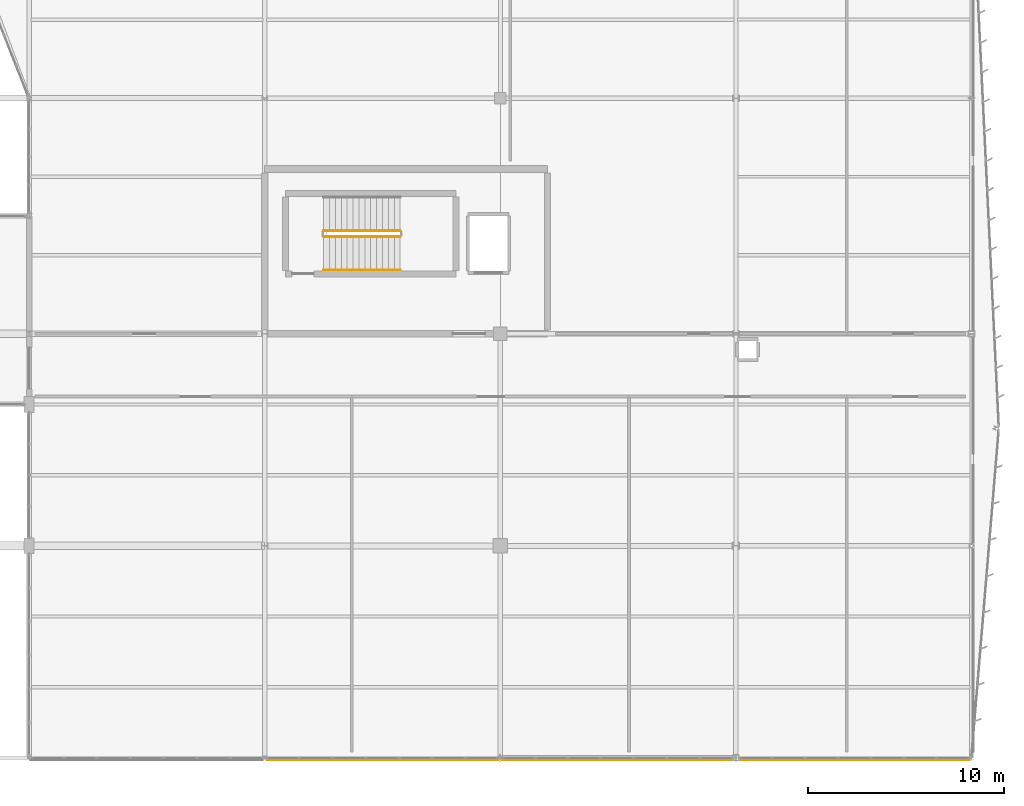
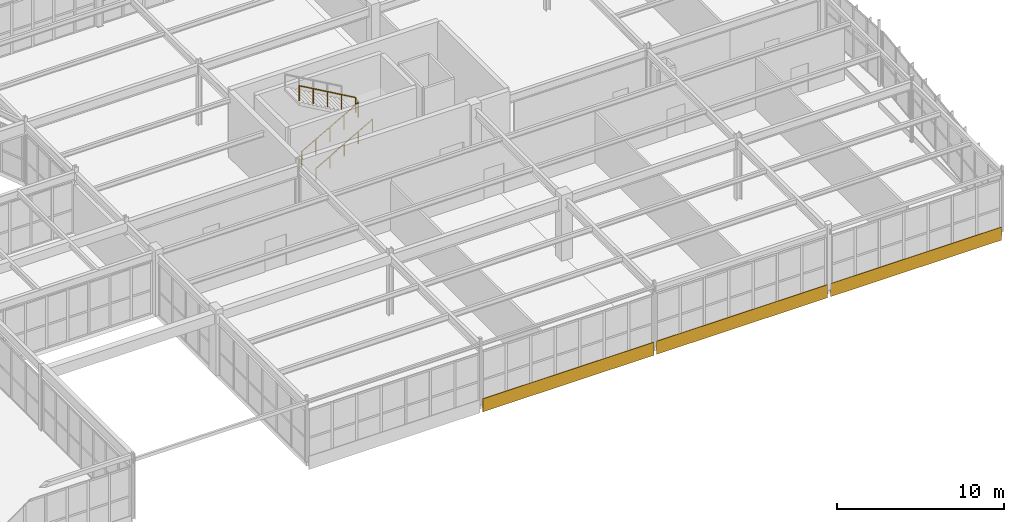
# One storey, part 178 of 186: 3 coverings, 3 railings.
"""IFC4 building model written with IfcOpenShell, lengths in metres."""

from ifc_helpers import new_model, si_unit, direction, frame, origin, origin_2d, place, context, subcontext, project, spatial, rectangle, circle, extrude, material, layer, layer_set, type_object, element, save


model = new_model("IFC4")

# Units and contexts
model_context = context("Model", 3, precision=1e-05, world=origin(), true_north=direction((0.0, 1.0)))
body_context = subcontext(model_context, "Body", "Model", "MODEL_VIEW")
ifc_project = project(units=[si_unit("LENGTHUNIT", "METRE"), si_unit("AREAUNIT", "SQUARE_METRE"), si_unit("VOLUMEUNIT", "CUBIC_METRE"), si_unit("PLANEANGLEUNIT", "RADIAN"), si_unit("MASSUNIT", "GRAM", prefix="KILO")], contexts=[model_context])

# Site, building, storey
site_placement = place(None, origin())
site = spatial("IfcSite", under=ifc_project, at=site_placement, CompositionType="ELEMENT")
building_placement = place(site_placement, origin())
building = spatial("IfcBuilding", under=site, at=building_placement, Name="Tarnwether General Hospital", CompositionType="ELEMENT")
storey_placement = place(building_placement, frame((0.0, 0.0, 9.60009765625)))
storey = spatial("IfcBuildingStorey", under=building, at=storey_placement, Name="L02", CompositionType="ELEMENT", Elevation=9.60009765625)

# Coverings
ifc_material_1 = material(Name="Folded zinc-titanium cladding")
ifc_layer = layer(ifc_material_1, 0.0400390625)
ifc_layer_set = layer_set([ifc_layer], Name="Folded zinc-titanium cladding")
covering_type = type_object("IfcCoveringType", Name="CV-CLD-ZNC", PredefinedType="CLADDING", material=ifc_layer_set)
for number, where, z_axis, x_axis, name in (
    (1, (162.0, -0.090087890625, -0.55517578125), (0.0, 0.0, 1.0), (1.0, 0.0, 0.0), "Deconstructivist Faceted Zinc Spandrel Blade 024"),
    (2, (174.0, -0.090087890625, -0.55517578125), (0.0, 0.0, 1.0), (1.0, 0.0, 0.0), "Deconstructivist Faceted Zinc Spandrel Blade 025"),
    (3, (186.0, -0.090087890625, -0.55517578125), (0.0, 0.0, 1.0), (1.0, 0.0, 0.0), "Deconstructivist Faceted Zinc Spandrel Blade 026"),
):
    element("IfcCovering", number, at=place(storey_placement, frame(where, z_axis=z_axis, x_axis=x_axis)), inside=storey, type_object=covering_type, Name=name, PredefinedType="CLADDING", context=body_context, shape_type="SweptSolid", body=[
        extrude(rectangle(XDim=11.800048828125, YDim=0.0400390625, at=origin_2d()), origin(), (0.0, 0.0, 1.0), 0.949951171875),
    ])

# Railings
ifc_material_2 = material(Name="Anodised aluminium", Category="aluminium")
railing_type_1 = type_object("IfcRailingType", Name="RL-GRD-INT", PredefinedType="GUARDRAIL", material=ifc_material_2)
railing_1_placement = place(storey_placement, frame((159.0, 26.550048828125, 0.17138671875)))
element("IfcRailing", 4, at=railing_1_placement, inside=storey, type_object=railing_type_1, Name="L02 ST-05 stair guard 1", PredefinedType="GUARDRAIL", context=body_context, shape_type="SweptSolid", body=[
    extrude(circle(Radius=0.02392578125, at=origin_2d()), frame((0.0, 0.0, 1.076171875), z_axis=(0.868243142124, 0.0, 0.496138938357), x_axis=(0.0, 1.0, 0.0)), (0.0, 0.0, 1.0), 4.49169921875),
    extrude(circle(Radius=0.02099609375, at=origin_2d()), origin(), (0.0, 0.0, 1.0), 1.052001953125),
    extrude(circle(Radius=0.02099609375, at=origin_2d()), frame((0.97509765625, 0.0, 0.55712890625)), (0.0, 0.0, 1.0), 1.052001953125),
    extrude(circle(Radius=0.02099609375, at=origin_2d()), frame((1.949951171875, 0.0, 1.1142578125)), (0.0, 0.0, 1.0), 1.052001953125),
    extrude(circle(Radius=0.02099609375, at=origin_2d()), frame((2.9248046875, 0.0, 1.67138671875)), (0.0, 0.0, 1.0), 1.052001953125),
    extrude(circle(Radius=0.02099609375, at=origin_2d()), frame((3.89990234375, 0.0, 2.228515625)), (0.0, 0.0, 1.0), 1.052001953125),
])
railing_2_placement = place(storey_placement, frame((162.89990234375, 26.85009765625, 2.5712890625)))
element("IfcRailing", 5, at=railing_2_placement, inside=storey, type_object=railing_type_1, Name="L02 ST-05 stair guard 3", PredefinedType="GUARDRAIL", context=body_context, shape_type="SweptSolid", body=[
    extrude(circle(Radius=0.02392578125, at=origin_2d()), frame((0.0, 0.0, 1.076171875), z_axis=(-0.868243142124, 0.0, 0.496138938357), x_axis=(0.0, -1.0, 0.0)), (0.0, 0.0, 1.0), 4.49169921875),
    extrude(circle(Radius=0.02099609375, at=origin_2d()), origin(), (0.0, 0.0, 1.0), 1.052001953125),
    extrude(circle(Radius=0.02099609375, at=origin_2d()), frame((-0.97509765625, 0.0, 0.55712890625)), (0.0, 0.0, 1.0), 1.052001953125),
    extrude(circle(Radius=0.02099609375, at=origin_2d()), frame((-1.949951171875, 0.0, 1.1142578125)), (0.0, 0.0, 1.0), 1.052001953125),
    extrude(circle(Radius=0.02099609375, at=origin_2d()), frame((-2.9248046875, 0.0, 1.67138671875)), (0.0, 0.0, 1.0), 1.052001953125),
    extrude(circle(Radius=0.02099609375, at=origin_2d()), frame((-3.89990234375, 0.0, 2.228515625)), (0.0, 0.0, 1.0), 1.052001953125),
])
ifc_material_3 = material(Name="Anodised aluminium", Category="aluminium")
railing_type_2 = type_object("IfcRailingType", Name="RL-HND-INT", PredefinedType="HANDRAIL", material=ifc_material_3)
railing_3_placement = place(storey_placement, frame((159.0, 24.85009765625, 0.17138671875)))
element("IfcRailing", 6, at=railing_3_placement, inside=storey, type_object=railing_type_2, Name="L02 ST-05 stair handrail 1", PredefinedType="HANDRAIL", context=body_context, shape_type="SweptSolid", body=[
    extrude(circle(Radius=0.02392578125, at=origin_2d()), frame((0.0, 0.0, 0.8759765625), z_axis=(0.868243142124, 0.0, 0.496138938357), x_axis=(0.0, 1.0, 0.0)), (0.0, 0.0, 1.0), 4.49169921875),
    extrude(circle(Radius=0.02099609375, at=origin_2d()), origin(), (0.0, 0.0, 1.0), 0.851806640625),
    extrude(circle(Radius=0.02099609375, at=origin_2d()), frame((0.97509765625, 0.0, 0.55712890625)), (0.0, 0.0, 1.0), 0.851806640625),
    extrude(circle(Radius=0.02099609375, at=origin_2d()), frame((1.949951171875, 0.0, 1.1142578125)), (0.0, 0.0, 1.0), 0.851806640625),
    extrude(circle(Radius=0.02099609375, at=origin_2d()), frame((2.9248046875, 0.0, 1.67138671875)), (0.0, 0.0, 1.0), 0.851806640625),
    extrude(circle(Radius=0.02099609375, at=origin_2d()), frame((3.89990234375, 0.0, 2.228515625)), (0.0, 0.0, 1.0), 0.851806640625),
])

save(model, "model.ifc")
